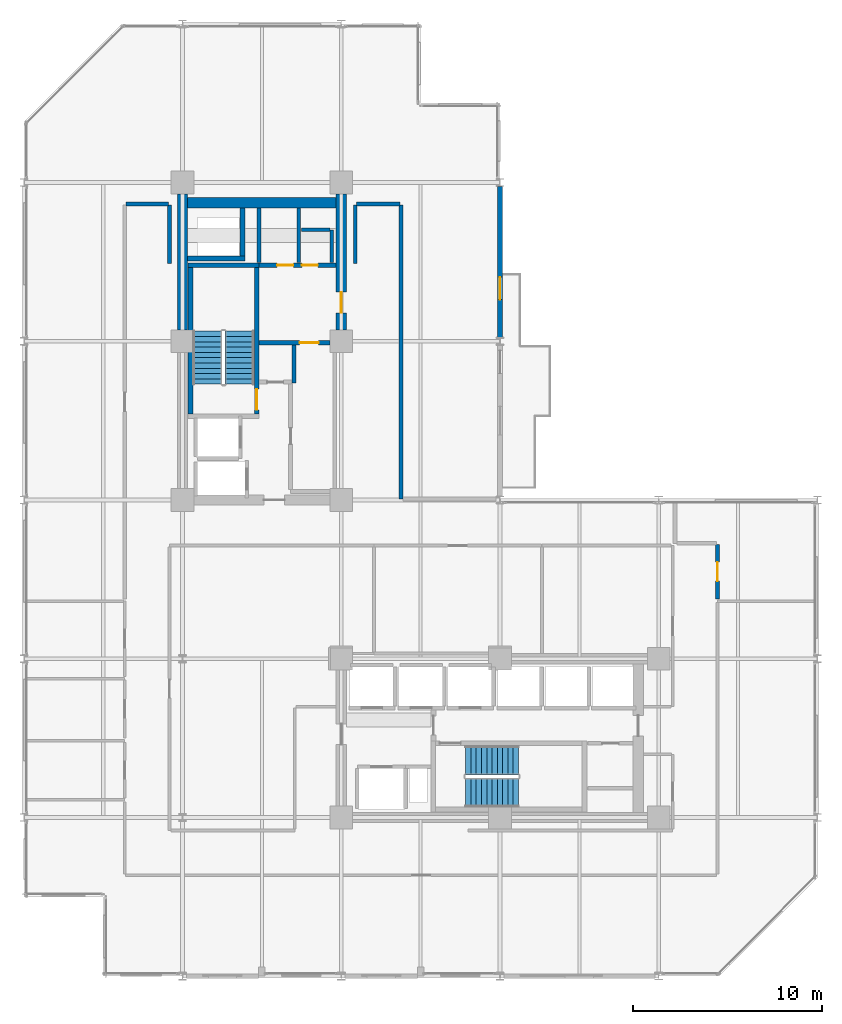
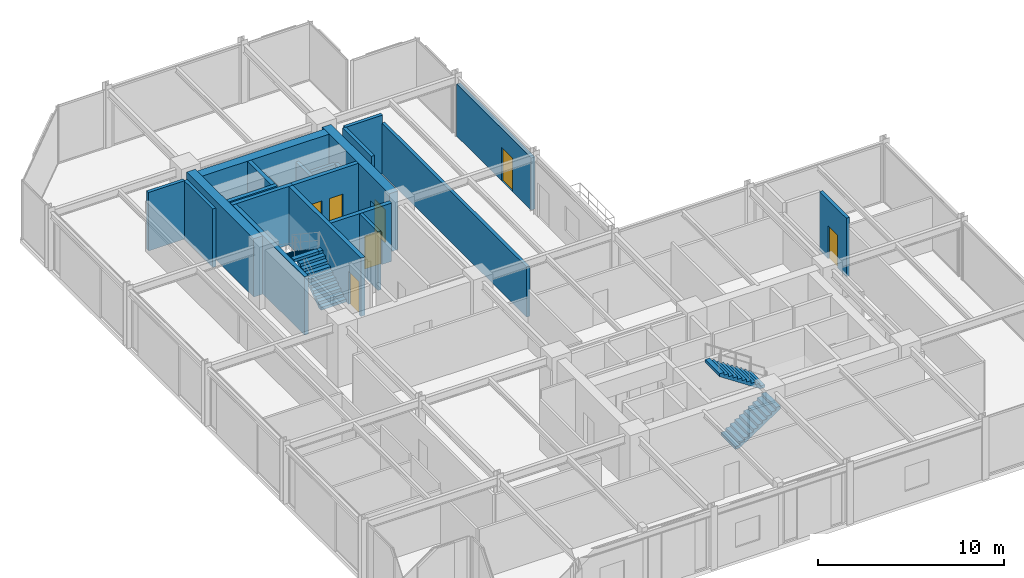
# One storey, part 26 of 29: 22 walls, 7 doors, 4 stair flights, 7 openings, 2 elements without a shape of their own.
"""IFC4 building model written with IfcOpenShell, lengths in metres."""

from ifc_helpers import new_model, si_unit, direction, frame, frame_2d, origin, place, context, subcontext, project, spatial, polyline, rectangle, outline, extrude, material, layer, layer_set, type_object, element, fill, aggregate, save


model = new_model("IFC4")

# Units and contexts
model_context = context("Model", 3, precision=1e-05, world=origin(), true_north=direction((0.0, 1.0)))
body_context = subcontext(model_context, "Body", "Model", "MODEL_VIEW")
ifc_project = project(units=[si_unit("LENGTHUNIT", "METRE"), si_unit("AREAUNIT", "SQUARE_METRE"), si_unit("VOLUMEUNIT", "CUBIC_METRE"), si_unit("PLANEANGLEUNIT", "RADIAN"), si_unit("MASSUNIT", "GRAM", prefix="KILO")], contexts=[model_context])

# Site, building, storey
site_placement = place(None, origin())
site = spatial("IfcSite", under=ifc_project, at=site_placement, CompositionType="ELEMENT")
building_placement = place(site_placement, origin())
building = spatial("IfcBuilding", under=site, at=building_placement, Name="Nerrivon Quay Data Exchange", CompositionType="ELEMENT")
storey_placement = place(building_placement, frame((0.0, 0.0, 145.89990234375)))
storey = spatial("IfcBuildingStorey", under=building, at=storey_placement, Name="L34", CompositionType="ELEMENT", Elevation=145.89990234375)

# Wall, opening, door
ifc_material_1 = material(Name="Architectural terracotta precast concrete N50 (50 MPa)", Category="masonry")
ifc_layer_1 = layer(ifc_material_1, 0.239990234375)
ifc_layer_set_1 = layer_set([ifc_layer_1], Name="Architectural terracotta precast concrete N50 (50 MPa)")
wall_type_1 = type_object("IfcWallType", Name="EW-PREC-240", PredefinedType="STANDARD", material=ifc_layer_set_1)
wall_1_placement = place(storey_placement, frame((25.199951171875, 41.800048828125, 0.0), z_axis=(0.0, 0.0, 1.0), x_axis=(0.0, -1.0, 0.0)))
wall_1 = element("IfcWall", 1, at=wall_1_placement, inside=storey, type_object=wall_type_1, Name="L34 Terrace Host Wall 24", PredefinedType="STANDARD", context=body_context, shape_type="SweptSolid", body=[
    extrude(rectangle(XDim=8.0, YDim=0.239990234375, at=frame_2d((4.0, 0.0))), origin(), (0.0, 0.0, 1.0), 3.422119140625),
])
opening_1_placement = place(wall_1_placement, frame((4.800048828125, 0.0, 0.0)))
opening_1 = element("IfcOpeningElement", 2, at=opening_1_placement, cuts=wall_1, Name="Opening TD1", PredefinedType="OPENING", context=body_context, shape_type="SweptSolid", body=[
    extrude(rectangle(XDim=1.199951171875, YDim=2.199951171875, at=frame_2d((0.60009765625, 1.10009765625))), frame((0.0, 0.1298828125, 0.0), z_axis=(0.0, -1.0, 0.0), x_axis=(1.0, 0.0, 0.0)), (0.0, 0.0, 1.0), 0.260009765625),
])
ifc_material_2 = material(Name="Double-glazed low-E solar control glass", Category="glass")
door_type_1 = type_object("IfcDoorType", Name="DR-TERR-1200x2200", OperationType="NOTDEFINED", PredefinedType="DOOR", material=ifc_material_2)
door_1_placement = place(opening_1_placement, origin())
door_1 = element("IfcDoor", 3, at=door_1_placement, inside=storey, type_object=door_type_1, Name="L34 Outdoor Terrace Access Door 24", OperationType="SINGLE_SWING_LEFT", OverallHeight=2.199951171875, OverallWidth=1.199951171875, PredefinedType="DOOR", context=body_context, shape_type="SweptSolid", body=[
    extrude(rectangle(XDim=1.199951171875, YDim=2.199951171875, at=frame_2d((0.60009765625, 1.10009765625))), frame((0.0, 0.02490234375, 0.0), z_axis=(0.0, -1.0, 0.0), x_axis=(1.0, 0.0, 0.0)), (0.0, 0.0, 1.0), 0.050048828125),
])
fill(opening_1, door_1)

# Walls
ifc_material_3 = material(Name="Concrete S65 (65 MPa)", Category="concrete")
ifc_layer_2 = layer(ifc_material_3, 0.550048828125)
ifc_layer_set_2 = layer_set([ifc_layer_2], Name="Concrete S65 (65 MPa)")
wall_type_2 = type_object("IfcWallType", Name="WALL-CW-700", PredefinedType="SHEAR", material=ifc_layer_set_2)
wall_2_placement = place(storey_placement, frame((8.39990234375, 34.199951171875, 0.0), z_axis=(0.0, 0.0, 1.0), x_axis=(0.0, 1.0, 0.0)))
element("IfcWall", 4, at=wall_2_placement, inside=storey, type_object=wall_type_2, Name="L34 West Split-Core Shear Wall WCW-W2", PredefinedType="SHEAR", context=body_context, shape_type="SweptSolid", body=[
    extrude(rectangle(XDim=7.199951171875, YDim=0.550048828125, at=frame_2d((3.60009765625, 0.0))), origin(), (0.0, 0.0, 1.0), 3.8251953125),
])
wall_3_placement = place(storey_placement, frame((8.675048828125, 40.925048828125, 0.0), z_axis=(0.0, 0.0, 1.0), x_axis=(1.0, 0.0, 0.0)))
element("IfcWall", 5, at=wall_3_placement, inside=storey, type_object=wall_type_2, Name="L34 West Split-Core Shear Wall WCW-N1", PredefinedType="SHEAR", context=body_context, shape_type="SweptSolid", body=[
    extrude(rectangle(XDim=7.849853515625, YDim=0.550048828125, at=frame_2d((3.9248046875, 0.0))), origin(), (0.0, 0.0, 1.0), 3.8251953125),
])

# Wall, opening, door
wall_4_placement = place(storey_placement, frame((16.800048828125, 34.199951171875, 0.0), z_axis=(0.0, 0.0, 1.0), x_axis=(0.0, 1.0, 0.0)))
wall_4 = element("IfcWall", 6, at=wall_4_placement, inside=storey, type_object=wall_type_2, Name="L34 West Split-Core Shear Wall WCW-E1", PredefinedType="SHEAR", context=body_context, shape_type="SweptSolid", body=[
    extrude(rectangle(XDim=7.199951171875, YDim=0.550048828125, at=frame_2d((3.60009765625, 0.0))), origin(), (0.0, 0.0, 1.0), 3.8251953125),
])
opening_2_placement = place(wall_4_placement, frame((0.89990234375, 0.0, 0.0)))
opening_2 = element("IfcOpeningElement", 7, at=opening_2_placement, cuts=wall_4, Name="Opening FD-120", PredefinedType="OPENING", context=body_context, shape_type="SweptSolid", body=[
    extrude(rectangle(XDim=1.10009765625, YDim=2.14990234375, at=frame_2d((0.550048828125, 1.074951171875))), frame((0.0, 0.284912109375, 0.0), z_axis=(0.0, -1.0, 0.0), x_axis=(1.0, 0.0, 0.0)), (0.0, 0.0, 1.0), 0.570068359375),
])
ifc_material_4 = material(Name="Powder-coated galvanized steel sheet", Category="steel")
door_type_2 = type_object("IfcDoorType", Name="DR-FD120-1100", OperationType="NOTDEFINED", PredefinedType="DOOR", material=ifc_material_4)
door_2_placement = place(opening_2_placement, origin())
door_2 = element("IfcDoor", 8, at=door_2_placement, inside=storey, type_object=door_type_2, Name="L34 West Core Lobby Fire Door", OperationType="SINGLE_SWING_RIGHT", OverallHeight=2.14990234375, OverallWidth=1.10009765625, PredefinedType="DOOR", context=body_context, shape_type="SweptSolid", body=[
    extrude(rectangle(XDim=1.10009765625, YDim=2.14990234375, at=frame_2d((0.550048828125, 1.074951171875))), frame((0.0, 0.02490234375, 0.0), z_axis=(0.0, -1.0, 0.0), x_axis=(1.0, 0.0, 0.0)), (0.0, 0.0, 1.0), 0.050048828125),
])
fill(opening_2, door_2)

# Walls
ifc_material_5 = material(Name="Gypsum plasterboard on cold-formed framing", Category="gypsum")
ifc_layer_3 = layer(ifc_material_5, 0.199951171875)
ifc_layer_set_3 = layer_set([ifc_layer_3], Name="Gypsum plasterboard on cold-formed framing")
wall_type_3 = type_object("IfcWallType", Name="WALL-FW-200", PredefinedType="PARTITIONING", material=ifc_layer_set_3)
wall_5_placement = place(storey_placement, frame((14.300048828125, 33.39111328125, 0.0), z_axis=(0.0, 0.0, 1.0), x_axis=(0.0, -1.0, 0.0)))
element("IfcWall", 9, at=wall_5_placement, inside=storey, type_object=wall_type_3, Name="L34 Partition Core Equipment Store", PredefinedType="PARTITIONING", context=body_context, shape_type="SweptSolid", body=[
    extrude(rectangle(XDim=1.9912109375, YDim=0.199951171875, at=frame_2d((0.99560546875, 0.0))), origin(), (0.0, 0.0, 1.0), 3.8251953125),
])
for number, where, z_axis, x_axis, name in (
    (10, (14.550048828125, 37.780029296875, 0.0), (0.0, 0.0, 1.0), (0.0, 1.0, 0.0), "L34 Partition Electrical Switchboard Closet"),
    (11, (12.449951171875, 40.64599609375, 0.0), (0.0, 0.0, 1.0), (0.0, -1.0, 0.0), "L34 Partition Electrical Switchboard Closet"),
):
    element("IfcWall", number, at=place(storey_placement, frame(where, z_axis=z_axis, x_axis=x_axis)), inside=storey, type_object=wall_type_3, Name=name, PredefinedType="PARTITIONING", context=body_context, shape_type="SweptSolid", body=[
        extrude(rectangle(XDim=2.865966796875, YDim=0.199951171875, at=frame_2d((1.43310546875, 0.0))), origin(), (0.0, 0.0, 1.0), 2.72509765625),
    ])
wall_6_placement = place(storey_placement, frame((16.300048828125, 37.780029296875, 0.0), z_axis=(0.0, 0.0, 1.0), x_axis=(0.0, 1.0, 0.0)))
element("IfcWall", 12, at=wall_6_placement, inside=storey, type_object=wall_type_3, Name="L34 Partition Janitor Closet", PredefinedType="PARTITIONING", context=body_context, shape_type="SweptSolid", body=[
    extrude(rectangle(XDim=1.719970703125, YDim=0.199951171875, at=frame_2d((0.85986328125, 0.0))), origin(), (0.0, 0.0, 1.0), 2.72509765625),
])
wall_7_placement = place(storey_placement, frame((16.196044921875, 39.5, 0.0), z_axis=(0.0, 0.0, 1.0), x_axis=(-1.0, 0.0, 0.0)))
element("IfcWall", 13, at=wall_7_placement, inside=storey, type_object=wall_type_3, Name="L34 Partition Janitor Closet", PredefinedType="PARTITIONING", context=body_context, shape_type="SweptSolid", body=[
    extrude(rectangle(XDim=1.506103515625, YDim=0.199951171875, at=frame_2d((0.7529296875, 0.0))), origin(), (0.0, 0.0, 1.0), 2.72509765625),
])

# Wall, opening, door
wall_8_placement = place(storey_placement, frame((36.7099609375, 22.85009765625, 0.0), z_axis=(0.0, 0.0, 1.0), x_axis=(0.0, -1.0, 0.0)))
wall_8 = element("IfcWall", 14, at=wall_8_placement, inside=storey, type_object=wall_type_3, Name="L34 Partition Colocation Data Workspace 1", PredefinedType="PARTITIONING", context=body_context, shape_type="SweptSolid", body=[
    extrude(rectangle(XDim=2.886962890625, YDim=0.199951171875, at=frame_2d((1.443359375, 0.0))), origin(), (0.0, 0.0, 1.0), 3.8251953125),
])
opening_3_placement = place(wall_8_placement, frame((0.943359375, 0.0, 0.0)))
opening_3 = element("IfcOpeningElement", 15, at=opening_3_placement, cuts=wall_8, Name="Opening FD-60", PredefinedType="OPENING", context=body_context, shape_type="SweptSolid", body=[
    extrude(rectangle(XDim=1.0, YDim=2.14990234375, at=frame_2d((0.5, 1.074951171875))), frame((0.0, 0.10986328125, 0.0), z_axis=(0.0, -1.0, 0.0), x_axis=(1.0, 0.0, 0.0)), (0.0, 0.0, 1.0), 0.219970703125),
])
ifc_material_6 = material(Name="Engineered hardwood timber", Category="wood")
door_type_3 = type_object("IfcDoorType", Name="DR-FD60-1000", OperationType="NOTDEFINED", PredefinedType="DOOR", material=ifc_material_6)
door_3_placement = place(opening_3_placement, origin())
door_3 = element("IfcDoor", 16, at=door_3_placement, inside=storey, type_object=door_type_3, Name="L34 Door Colocation Data Workspace 1", OperationType="SINGLE_SWING_LEFT", OverallHeight=2.14990234375, OverallWidth=1.0, PredefinedType="DOOR", context=body_context, shape_type="SweptSolid", body=[
    extrude(rectangle(XDim=1.0, YDim=2.14990234375, at=frame_2d((0.5, 1.074951171875))), frame((0.0, 0.02490234375, 0.0), z_axis=(0.0, -1.0, 0.0), x_axis=(1.0, 0.0, 0.0)), (0.0, 0.0, 1.0), 0.050048828125),
])
fill(opening_3, door_3)

# Walls
wall_9_placement = place(storey_placement, frame((5.39990234375, 40.860107421875, 0.0), z_axis=(0.0, 0.0, 1.0), x_axis=(1.0, 0.0, 0.0)))
element("IfcWall", 17, at=wall_9_placement, inside=storey, type_object=wall_type_3, Name="L34 Partition Colocation Data Workspace 1", PredefinedType="PARTITIONING", context=body_context, shape_type="SweptSolid", body=[
    extrude(rectangle(XDim=2.25, YDim=0.199951171875, at=frame_2d((1.125, 0.0))), origin(), (0.0, 0.0, 1.0), 3.8251953125),
])
for number, where, z_axis, x_axis, name in (
    (18, (7.7099609375, 40.800048828125, 0.0), (0.0, 0.0, 1.0), (0.0, -1.0, 0.0), "L34 Partition Colocation Data Workspace 1"),
    (19, (17.5400390625, 37.7099609375, 0.0), (0.0, 0.0, 1.0), (0.0, 1.0, 0.0), "L34 Partition Colocation Data Workspace 1"),
):
    element("IfcWall", number, at=place(storey_placement, frame(where, z_axis=z_axis, x_axis=x_axis)), inside=storey, type_object=wall_type_3, Name=name, PredefinedType="PARTITIONING", context=body_context, shape_type="SweptSolid", body=[
        extrude(rectangle(XDim=3.090087890625, YDim=0.199951171875, at=frame_2d((1.544921875, 0.0))), origin(), (0.0, 0.0, 1.0), 3.8251953125),
    ])
wall_10_placement = place(storey_placement, frame((17.60009765625, 40.860107421875, 0.0), z_axis=(0.0, 0.0, 1.0), x_axis=(1.0, 0.0, 0.0)))
element("IfcWall", 20, at=wall_10_placement, inside=storey, type_object=wall_type_3, Name="L34 Partition Colocation Data Workspace 1", PredefinedType="PARTITIONING", context=body_context, shape_type="SweptSolid", body=[
    extrude(rectangle(XDim=2.2998046875, YDim=0.199951171875, at=frame_2d((1.14990234375, 0.0))), origin(), (0.0, 0.0, 1.0), 3.8251953125),
])
wall_11_placement = place(storey_placement, frame((19.9599609375, 40.800048828125, 0.0), z_axis=(0.0, 0.0, 1.0), x_axis=(0.0, -1.0, 0.0)))
element("IfcWall", 21, at=wall_11_placement, inside=storey, type_object=wall_type_3, Name="L34 Partition Colocation Data Workspace 1", PredefinedType="PARTITIONING", context=body_context, shape_type="SweptSolid", body=[
    extrude(rectangle(XDim=15.5400390625, YDim=0.199951171875, at=frame_2d((7.77001953125, 0.0))), origin(), (0.0, 0.0, 1.0), 3.2919921875),
])
ifc_material_7 = material(Name="Concrete N50 (50 MPa)", Category="concrete")
ifc_layer_4 = layer(ifc_material_7, 0.25)
ifc_layer_set_4 = layer_set([ifc_layer_4], Name="Concrete N50 (50 MPa)")
wall_type_4 = type_object("IfcWallType", Name="WALL-SW-250", PredefinedType="SHEAR", material=ifc_layer_set_4)
wall_12_placement = place(storey_placement, frame((12.449951171875, 37.625, 0.0), z_axis=(0.0, 0.0, 1.0), x_axis=(-1.0, 0.0, 0.0)))
element("IfcWall", 22, at=wall_12_placement, inside=storey, type_object=wall_type_4, Name="L34 ST01 Structural Stair Core Wall FAR", PredefinedType="SHEAR", context=body_context, shape_type="SweptSolid", body=[
    extrude(rectangle(XDim=3.75, YDim=0.25, at=frame_2d((1.875, 0.0))), origin(), (0.0, 0.0, 1.0), 3.8251953125),
])

# Wall, opening, door
wall_13_placement = place(storey_placement, frame((12.324951171875, 29.75, 0.0), z_axis=(0.0, 0.0, 1.0), x_axis=(0.0, 1.0, 0.0)))
wall_13 = element("IfcWall", 23, at=wall_13_placement, inside=storey, type_object=wall_type_4, Name="L34 ST01 Structural Stair Core Wall LEFT", PredefinedType="SHEAR", context=body_context, shape_type="SweptSolid", body=[
    extrude(rectangle(XDim=7.75, YDim=0.25, at=frame_2d((3.875, 0.0))), origin(), (0.0, 0.0, 1.0), 3.8251953125),
])
opening_4_placement = place(wall_13_placement, frame((0.219970703125, 0.0, 0.0)))
opening_4 = element("IfcOpeningElement", 24, at=opening_4_placement, cuts=wall_13, Name="Opening FD-120", PredefinedType="OPENING", context=body_context, shape_type="SweptSolid", body=[
    extrude(rectangle(XDim=1.10009765625, YDim=2.14990234375, at=frame_2d((0.550048828125, 1.074951171875))), frame((0.0, 0.135009765625, 0.0), z_axis=(0.0, -1.0, 0.0), x_axis=(1.0, 0.0, 0.0)), (0.0, 0.0, 1.0), 0.27001953125),
])
door_4_placement = place(opening_4_placement, origin())
door_4 = element("IfcDoor", 25, at=door_4_placement, inside=storey, type_object=door_type_2, Name="L34 Protected Stair Door ST01", OperationType="SINGLE_SWING_RIGHT", OverallHeight=2.14990234375, OverallWidth=1.10009765625, PredefinedType="DOOR", context=body_context, shape_type="SweptSolid", body=[
    extrude(rectangle(XDim=1.10009765625, YDim=2.14990234375, at=frame_2d((0.550048828125, 1.074951171875))), frame((0.0, 0.02490234375, 0.0), z_axis=(0.0, -1.0, 0.0), x_axis=(1.0, 0.0, 0.0)), (0.0, 0.0, 1.0), 0.050048828125),
])
fill(opening_4, door_4)

# Walls
wall_14_placement = place(storey_placement, frame((8.824951171875, 29.75, 0.0), z_axis=(0.0, 0.0, 1.0), x_axis=(0.0, 1.0, 0.0)))
element("IfcWall", 26, at=wall_14_placement, inside=storey, type_object=wall_type_4, Name="L34 ST01 Structural Stair Core Wall RIGHT", PredefinedType="SHEAR", context=body_context, shape_type="SweptSolid", body=[
    extrude(rectangle(XDim=7.75, YDim=0.25, at=frame_2d((3.875, 0.0))), origin(), (0.0, 0.0, 1.0), 3.8251953125),
])
wall_15_placement = place(storey_placement, frame((8.675048828125, 37.97509765625, 0.0), z_axis=(0.0, 0.0, 1.0), x_axis=(1.0, 0.0, 0.0)))
element("IfcWall", 27, at=wall_15_placement, inside=storey, type_object=wall_type_4, Name="L34 West Core MEP Riser Shaft Wall S", PredefinedType="SHEAR", context=body_context, shape_type="SweptSolid", body=[
    extrude(rectangle(XDim=3.02490234375, YDim=0.25, at=frame_2d((1.512451171875, 0.0))), origin(), (0.0, 0.0, 1.0), 3.8251953125),
])
wall_16_placement = place(storey_placement, frame((11.574951171875, 38.10009765625, 0.0), z_axis=(0.0, 0.0, 1.0), x_axis=(0.0, 1.0, 0.0)))
element("IfcWall", 28, at=wall_16_placement, inside=storey, type_object=wall_type_4, Name="L34 West Core MEP Riser Shaft Wall E", PredefinedType="SHEAR", context=body_context, shape_type="SweptSolid", body=[
    extrude(rectangle(XDim=2.5498046875, YDim=0.25, at=frame_2d((1.27490234375, 0.0))), origin(), (0.0, 0.0, 1.0), 3.8251953125),
])

# Wall, opening, door
wall_17_placement = place(storey_placement, frame((12.449951171875, 33.52001953125, 0.0), z_axis=(0.0, 0.0, 1.0), x_axis=(1.0, 0.0, 0.0)))
wall_17 = element("IfcWall", 29, at=wall_17_placement, inside=storey, type_object=wall_type_4, Name="L34 West Lobby Smoke-Stop Wall", PredefinedType="SHEAR", context=body_context, shape_type="SweptSolid", body=[
    extrude(rectangle(XDim=3.75, YDim=0.25, at=frame_2d((1.875, 0.0))), origin(), (0.0, 0.0, 1.0), 3.8251953125),
])
opening_5_placement = place(wall_17_placement, frame((2.14990234375, 0.0, 0.0)))
opening_5 = element("IfcOpeningElement", 30, at=opening_5_placement, cuts=wall_17, Name="Opening FD-60", PredefinedType="OPENING", context=body_context, shape_type="SweptSolid", body=[
    extrude(rectangle(XDim=1.0, YDim=2.14990234375, at=frame_2d((0.5, 1.074951171875))), frame((0.0, 0.135009765625, 0.0), z_axis=(0.0, -1.0, 0.0), x_axis=(1.0, 0.0, 0.0)), (0.0, 0.0, 1.0), 0.27001953125),
])
door_5_placement = place(opening_5_placement, origin())
door_5 = element("IfcDoor", 31, at=door_5_placement, inside=storey, type_object=door_type_3, Name="L34 West Firefighting Lobby Fire Door", OperationType="SINGLE_SWING_RIGHT", OverallHeight=2.14990234375, OverallWidth=1.0, PredefinedType="DOOR", context=body_context, shape_type="SweptSolid", body=[
    extrude(rectangle(XDim=1.0, YDim=2.14990234375, at=frame_2d((0.5, 1.074951171875))), frame((0.0, 0.02490234375, 0.0), z_axis=(0.0, -1.0, 0.0), x_axis=(1.0, 0.0, 0.0)), (0.0, 0.0, 1.0), 0.050048828125),
])
fill(opening_5, door_5)

# Wall, openings, doors
wall_18_placement = place(storey_placement, frame((12.449951171875, 37.625, 0.0), z_axis=(0.0, 0.0, 1.0), x_axis=(1.0, 0.0, 0.0)))
wall_18 = element("IfcWall", 32, at=wall_18_placement, inside=storey, type_object=wall_type_4, Name="L34 West Firefighting Lobby Wall", PredefinedType="SHEAR", context=body_context, shape_type="SweptSolid", body=[
    extrude(rectangle(XDim=4.074951171875, YDim=0.25, at=frame_2d((2.03759765625, 0.0))), origin(), (0.0, 0.0, 1.0), 3.8251953125),
])
opening_6_placement = place(wall_18_placement, frame((0.96044921875, 0.0, 0.0)))
opening_6 = element("IfcOpeningElement", 33, at=opening_6_placement, cuts=wall_18, Name="Opening FD-60S", PredefinedType="OPENING", context=body_context, shape_type="SweptSolid", body=[
    extrude(rectangle(XDim=0.85009765625, YDim=2.14990234375, at=frame_2d((0.425048828125, 1.074951171875))), frame((0.0, 0.135009765625, 0.0), z_axis=(0.0, -1.0, 0.0), x_axis=(1.0, 0.0, 0.0)), (0.0, 0.0, 1.0), 0.27001953125),
])
opening_7_placement = place(wall_18_placement, frame((2.264404296875, 0.0, 0.0)))
opening_7 = element("IfcOpeningElement", 34, at=opening_7_placement, cuts=wall_18, Name="Opening FD-60S", PredefinedType="OPENING", context=body_context, shape_type="SweptSolid", body=[
    extrude(rectangle(XDim=0.85009765625, YDim=2.14990234375, at=frame_2d((0.425048828125, 1.074951171875))), frame((0.0, 0.135009765625, 0.0), z_axis=(0.0, -1.0, 0.0), x_axis=(1.0, 0.0, 0.0)), (0.0, 0.0, 1.0), 0.27001953125),
])
door_type_4 = type_object("IfcDoorType", Name="DR-FD60-850", OperationType="NOTDEFINED", PredefinedType="DOOR", material=ifc_material_6)
door_6_placement = place(opening_6_placement, origin())
door_6 = element("IfcDoor", 35, at=door_6_placement, inside=storey, type_object=door_type_4, Name="L34 Door Electrical Switchboard Closet", OperationType="SINGLE_SWING_RIGHT", OverallHeight=2.14990234375, OverallWidth=0.85009765625, PredefinedType="DOOR", context=body_context, shape_type="SweptSolid", body=[
    extrude(rectangle(XDim=0.85009765625, YDim=2.14990234375, at=frame_2d((0.425048828125, 1.074951171875))), frame((0.0, 0.02490234375, 0.0), z_axis=(0.0, -1.0, 0.0), x_axis=(1.0, 0.0, 0.0)), (0.0, 0.0, 1.0), 0.050048828125),
])
fill(opening_6, door_6)
door_7_placement = place(opening_7_placement, origin())
door_7 = element("IfcDoor", 36, at=door_7_placement, inside=storey, type_object=door_type_4, Name="L34 Door Janitor Closet", OperationType="SINGLE_SWING_LEFT", OverallHeight=2.14990234375, OverallWidth=0.85009765625, PredefinedType="DOOR", context=body_context, shape_type="SweptSolid", body=[
    extrude(rectangle(XDim=0.85009765625, YDim=2.14990234375, at=frame_2d((0.425048828125, 1.074951171875))), frame((0.0, 0.02490234375, 0.0), z_axis=(0.0, -1.0, 0.0), x_axis=(1.0, 0.0, 0.0)), (0.0, 0.0, 1.0), 0.050048828125),
])
fill(opening_7, door_7)

# Stair, stair flights
stair_type = type_object("IfcStairType", Name="STAIR-DOG-41", PredefinedType="HALF_TURN_STAIR", material=ifc_material_7)
stair_1_placement = place(storey_placement, origin())
stair_1 = element("IfcStair", 37, at=stair_1_placement, inside=storey, type_object=stair_type, Name="L34 West Core Fire Stair ST01", PredefinedType="HALF_TURN_STAIR")
stair_flight_type = type_object("IfcStairFlightType", Name="FLIGHT-DOG-41", PredefinedType="STRAIGHT", material=ifc_material_7)
stair_flight_1_placement = place(storey_placement, frame((11.425048828125, 31.330078125, 0.0), z_axis=(0.0, 0.0, 1.0), x_axis=(0.0, 1.0, 0.0)))
stair_flight_1 = element("IfcStairFlight", 38, at=stair_flight_1_placement, type_object=stair_flight_type, Name="ST01 flight 1", NumberOfRisers=11, NumberOfTreads=10, PredefinedType="STRAIGHT", RiserHeight=0.186363636, TreadLength=0.28, context=body_context, shape_type="SweptSolid", body=[
    extrude(outline(polyline([(0.0, 0.0), (0.0, 0.186279296875), (0.280029296875, 0.186279296875), (0.280029296875, 0.372802734375), (0.56005859375, 0.372802734375), (0.56005859375, 0.55908203125), (0.840087890625, 0.55908203125), (0.840087890625, 0.745361328125), (1.1201171875, 0.745361328125), (1.1201171875, 0.931884765625), (1.39990234375, 0.931884765625), (1.39990234375, 1.1181640625), (1.679931640625, 1.1181640625), (1.679931640625, 1.304443359375), (1.9599609375, 1.304443359375), (1.9599609375, 1.490966796875), (2.239990234375, 1.490966796875), (2.239990234375, 1.67724609375), (2.52001953125, 1.67724609375), (2.52001953125, 1.863525390625), (2.800048828125, 1.863525390625), (2.800048828125, 2.050048828125), (2.800048828125, 1.68359375), (0.2705078125, 0.0), (0.0, 0.0)])), frame((0.0, 0.77490234375, 0.0), z_axis=(0.0, -1.0, 0.0), x_axis=(1.0, 0.0, 0.0)), (0.0, 0.0, 1.0), 1.550048828125),
])
stair_flight_2_placement = place(storey_placement, frame((9.72509765625, 34.1298828125, 2.050048828125), z_axis=(0.0, 0.0, 1.0), x_axis=(0.0, -1.0, 0.0)))
stair_flight_2 = element("IfcStairFlight", 39, at=stair_flight_2_placement, type_object=stair_flight_type, Name="ST01 flight 2", NumberOfRisers=11, NumberOfTreads=10, PredefinedType="STRAIGHT", RiserHeight=0.186363636, TreadLength=0.28, context=body_context, shape_type="SweptSolid", body=[
    extrude(outline(polyline([(0.0, 0.0), (0.0, 0.186279296875), (0.280029296875, 0.186279296875), (0.280029296875, 0.372802734375), (0.56005859375, 0.372802734375), (0.56005859375, 0.55908203125), (0.840087890625, 0.55908203125), (0.840087890625, 0.745361328125), (1.1201171875, 0.745361328125), (1.1201171875, 0.931884765625), (1.39990234375, 0.931884765625), (1.39990234375, 1.1181640625), (1.679931640625, 1.1181640625), (1.679931640625, 1.304443359375), (1.9599609375, 1.304443359375), (1.9599609375, 1.490966796875), (2.239990234375, 1.490966796875), (2.239990234375, 1.67724609375), (2.52001953125, 1.67724609375), (2.52001953125, 1.863525390625), (2.800048828125, 1.863525390625), (2.800048828125, 2.050048828125), (2.800048828125, 1.68359375), (0.2705078125, 0.0), (0.0, 0.0)])), frame((0.0, 0.77490234375, 0.0), z_axis=(0.0, -1.0, 0.0), x_axis=(1.0, 0.0, 0.0)), (0.0, 0.0, 1.0), 1.550048828125),
])
aggregate(stair_1, [stair_flight_1, stair_flight_2])

stair_2_placement = place(storey_placement, origin())
stair_2 = element("IfcStair", 40, at=stair_2_placement, inside=storey, type_object=stair_type, Name="L34 East Core Fire Stair ST02", PredefinedType="HALF_TURN_STAIR")
stair_flight_3_placement = place(storey_placement, frame((23.3798828125, 9.72509765625, 0.0), z_axis=(0.0, 0.0, 1.0), x_axis=(1.0, 0.0, 0.0)))
stair_flight_3 = element("IfcStairFlight", 41, at=stair_flight_3_placement, type_object=stair_flight_type, Name="ST02 flight 1", NumberOfRisers=11, NumberOfTreads=10, PredefinedType="STRAIGHT", RiserHeight=0.186363636, TreadLength=0.28, context=body_context, shape_type="SweptSolid", body=[
    extrude(outline(polyline([(0.0, 0.0), (0.0, 0.186279296875), (0.280029296875, 0.186279296875), (0.280029296875, 0.372802734375), (0.56005859375, 0.372802734375), (0.56005859375, 0.55908203125), (0.840087890625, 0.55908203125), (0.840087890625, 0.745361328125), (1.1201171875, 0.745361328125), (1.1201171875, 0.931884765625), (1.39990234375, 0.931884765625), (1.39990234375, 1.1181640625), (1.679931640625, 1.1181640625), (1.679931640625, 1.304443359375), (1.9599609375, 1.304443359375), (1.9599609375, 1.490966796875), (2.239990234375, 1.490966796875), (2.239990234375, 1.67724609375), (2.52001953125, 1.67724609375), (2.52001953125, 1.863525390625), (2.800048828125, 1.863525390625), (2.800048828125, 2.050048828125), (2.800048828125, 1.68359375), (0.2705078125, 0.0), (0.0, 0.0)])), frame((0.0, 0.77490234375, 0.0), z_axis=(0.0, -1.0, 0.0), x_axis=(1.0, 0.0, 0.0)), (0.0, 0.0, 1.0), 1.550048828125),
])
stair_flight_4_placement = place(storey_placement, frame((26.179931640625, 11.425048828125, 2.050048828125), z_axis=(0.0, 0.0, 1.0), x_axis=(-1.0, 0.0, 0.0)))
stair_flight_4 = element("IfcStairFlight", 42, at=stair_flight_4_placement, type_object=stair_flight_type, Name="ST02 flight 2", NumberOfRisers=11, NumberOfTreads=10, PredefinedType="STRAIGHT", RiserHeight=0.186363636, TreadLength=0.28, context=body_context, shape_type="SweptSolid", body=[
    extrude(outline(polyline([(0.0, 0.0), (0.0, 0.186279296875), (0.280029296875, 0.186279296875), (0.280029296875, 0.372802734375), (0.56005859375, 0.372802734375), (0.56005859375, 0.55908203125), (0.840087890625, 0.55908203125), (0.840087890625, 0.745361328125), (1.1201171875, 0.745361328125), (1.1201171875, 0.931884765625), (1.39990234375, 0.931884765625), (1.39990234375, 1.1181640625), (1.679931640625, 1.1181640625), (1.679931640625, 1.304443359375), (1.9599609375, 1.304443359375), (1.9599609375, 1.490966796875), (2.239990234375, 1.490966796875), (2.239990234375, 1.67724609375), (2.52001953125, 1.67724609375), (2.52001953125, 1.863525390625), (2.800048828125, 1.863525390625), (2.800048828125, 2.050048828125), (2.800048828125, 1.68359375), (0.2705078125, 0.0), (0.0, 0.0)])), frame((0.0, 0.77490234375, 0.0), z_axis=(0.0, -1.0, 0.0), x_axis=(1.0, 0.0, 0.0)), (0.0, 0.0, 1.0), 1.550048828125),
])
aggregate(stair_2, [stair_flight_3, stair_flight_4])

save(model, "model.ifc")
